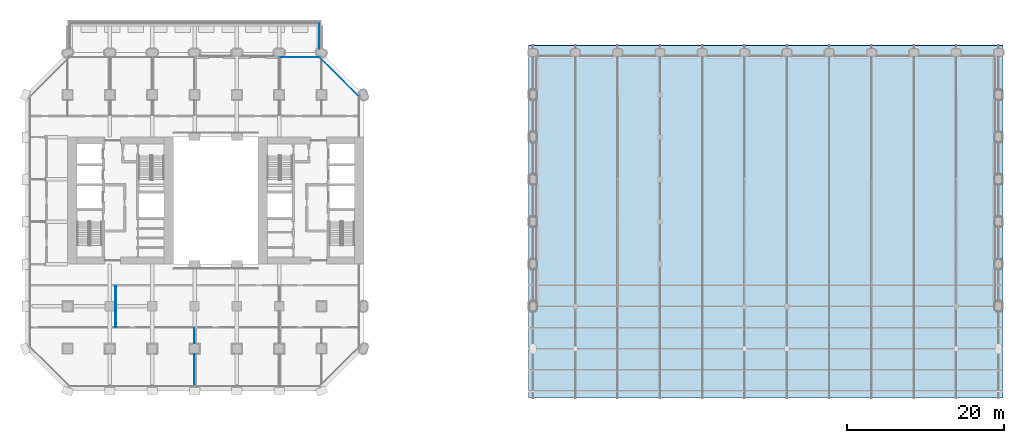
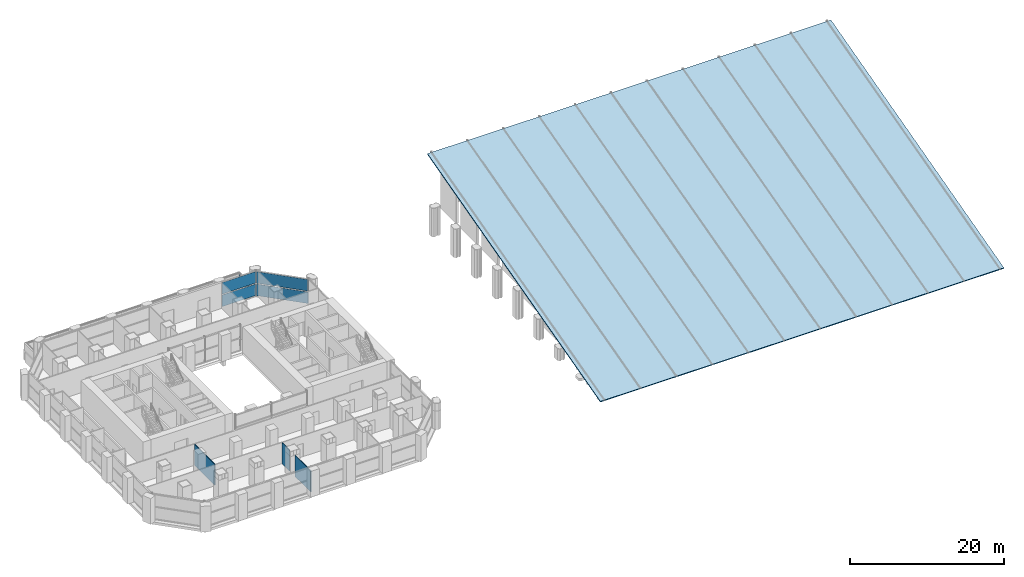
# One storey, part 12 of 23: 5 plates, 3 walls, 1 slab, 2 elements without a shape of their own.
"""IFC4 building model written with IfcOpenShell, lengths in metres."""

from ifc_helpers import new_model, si_unit, direction, frame, frame_2d, origin, origin_2d, place, context, subcontext, project, spatial, polyline, rectangle, outline, extrude, material, layer, layer_set, type_object, element, aggregate, save


model = new_model("IFC4")

# Units and contexts
model_context = context("Model", 3, precision=1e-05, world=origin(), true_north=direction((0.0, 1.0)))
body_context = subcontext(model_context, "Body", "Model", "MODEL_VIEW")
ifc_project = project(units=[si_unit("LENGTHUNIT", "METRE"), si_unit("AREAUNIT", "SQUARE_METRE"), si_unit("VOLUMEUNIT", "CUBIC_METRE"), si_unit("PLANEANGLEUNIT", "RADIAN"), si_unit("MASSUNIT", "GRAM", prefix="KILO")], contexts=[model_context])

# Site, building, storey
site_placement = place(None, origin())
site = spatial("IfcSite", under=ifc_project, at=site_placement, CompositionType="ELEMENT")
building_placement = place(site_placement, origin())
building = spatial("IfcBuilding", under=site, at=building_placement, Name="Tabaq Tower and Sports Hall", CompositionType="ELEMENT")
storey_placement = place(building_placement, frame((0.0, 0.0, 24.60009765625)))
storey = spatial("IfcBuildingStorey", under=building, at=storey_placement, Name="L04", CompositionType="ELEMENT", Elevation=24.60009765625)

# Curtain wall, plates
ifc_material_1 = material(Name="Aluminium alloy 6063-T6 framed glazing", Category="aluminium")
curtain_wall_type = type_object("IfcCurtainWallType", Name="CW7 curtain wall", PredefinedType="USERDEFINED", material=ifc_material_1)
curtain_wall_1_placement = place(storey_placement, origin())
curtain_wall_1 = element("IfcCurtainWall", 1, at=curtain_wall_1_placement, inside=storey, type_object=curtain_wall_type, Name="Podium Wall L04 NE", ObjectType="PODIUM WALL", PredefinedType="USERDEFINED")
ifc_material_2 = material(Name="Clear low-emissivity glass 28 mm", Category="glass")
ifc_layer_1 = layer(ifc_material_2, 0.030029296875)
ifc_layer_set_1 = layer_set([ifc_layer_1], Name="CW7 glass panel 30")
plate_type_1 = type_object("IfcPlateType", Name="CW7 glass panel 30", PredefinedType="CURTAIN_PANEL", material=ifc_layer_set_1)
plate_1_placement = place(storey_placement, frame((40.07568359375, 40.07568359375, 0.1396484375), z_axis=(0.0, 0.0, 1.0), x_axis=(-0.707106781187, 0.707106781187, 0.0)))
plate_1 = element("IfcPlate", 2, at=plate_1_placement, type_object=plate_type_1, Name="CW7 panel 1.1", PredefinedType="CURTAIN_PANEL", context=body_context, shape_type="SweptSolid", body=[
    extrude(rectangle(XDim=7.009765625, YDim=0.030029296875, at=origin_2d()), origin(), (0.0, 0.0, 1.0), 1.840087890625),
])
plate_2_placement = place(storey_placement, frame((40.07568359375, 40.07568359375, 2.11962890625), z_axis=(0.0, 0.0, 1.0), x_axis=(-0.707106781187, 0.707106781187, 0.0)))
plate_2 = element("IfcPlate", 3, at=plate_2_placement, type_object=plate_type_1, Name="CW7 panel 1.2", PredefinedType="CURTAIN_PANEL", context=body_context, shape_type="SweptSolid", body=[
    extrude(rectangle(XDim=7.009765625, YDim=0.030029296875, at=origin_2d()), origin(), (0.0, 0.0, 1.0), 1.840087890625),
])
aggregate(curtain_wall_1, [plate_1, plate_2])

curtain_wall_2_placement = place(storey_placement, origin())
curtain_wall_2 = element("IfcCurtainWall", 4, at=curtain_wall_2_placement, inside=storey, type_object=curtain_wall_type, Name="Podium Wall L04 N", ObjectType="PODIUM WALL", PredefinedType="USERDEFINED")
plate_3_placement = place(storey_placement, frame((35.0068359375, 42.60009765625, 0.1396484375), z_axis=(0.0, 0.0, 1.0), x_axis=(-1.0, 0.0, 0.0)))
plate_3 = element("IfcPlate", 5, at=plate_3_placement, type_object=plate_type_1, Name="CW7 panel 1.1", PredefinedType="CURTAIN_PANEL", context=body_context, shape_type="SweptSolid", body=[
    extrude(rectangle(XDim=5.08349609375, YDim=0.030029296875, at=origin_2d()), origin(), (0.0, 0.0, 1.0), 1.840087890625),
])
plate_4_placement = place(storey_placement, frame((35.0068359375, 42.60009765625, 2.11962890625), z_axis=(0.0, 0.0, 1.0), x_axis=(-1.0, 0.0, 0.0)))
plate_4 = element("IfcPlate", 6, at=plate_4_placement, type_object=plate_type_1, Name="CW7 panel 1.2", PredefinedType="CURTAIN_PANEL", context=body_context, shape_type="SweptSolid", body=[
    extrude(rectangle(XDim=5.08349609375, YDim=0.030029296875, at=origin_2d()), origin(), (0.0, 0.0, 1.0), 1.840087890625),
])
aggregate(curtain_wall_2, [plate_3, plate_4])

# Slab
ifc_material_3 = material(Name="Steel S355 profiled deck with insulation and membrane", Category="steel")
ifc_layer_2 = layer(ifc_material_3, 0.14990234375)
ifc_layer_set_2 = layer_set([ifc_layer_2], Name="HALL ROOF DECK 150")
slab_type = type_object("IfcSlabType", Name="HALL ROOF DECK 150", PredefinedType="ROOF", material=ifc_layer_set_2)
slab_placement = place(storey_placement, frame((64.199951171875, -0.89990234375, 0.358642578125), z_axis=(0.0, -0.25882200248, 0.965925033857), x_axis=(1.0, 0.0, 0.0)))
element("IfcSlab", 7, at=slab_placement, inside=storey, type_object=slab_type, Name="Hall roof deck", PredefinedType="ROOF", context=body_context, shape_type="SweptSolid", body=[
    extrude(outline(polyline([(0.0, 0.0), (60.60009765625, 0.0), (60.60009765625, 46.58746633815035), (0.0, 46.58746633815035), (0.0, 0.0)])), origin(), (0.0, 0.0, -1.0), 0.14990234375),
])

# Plate
ifc_material_4 = material(Name="Clear low-emissivity glass 28 mm", Category="glass")
ifc_layer_3 = layer(ifc_material_4, 0.02001953125)
ifc_layer_set_3 = layer_set([ifc_layer_3], Name="Laminated glass tray guard panel 20")
plate_type_2 = type_object("IfcPlateType", Name="Laminated glass tray guard panel 20", PredefinedType="USERDEFINED", material=ifc_layer_set_3)
plate_5_placement = place(storey_placement, frame((37.5, 43.699951171875, 0.0), z_axis=(0.0, 0.0, 1.0), x_axis=(0.0, 1.0, 0.0)))
element("IfcPlate", 8, at=plate_5_placement, inside=storey, type_object=plate_type_2, Name="Tray guard glass L04", ObjectType="GUARD GLASS", PredefinedType="USERDEFINED", context=body_context, shape_type="SweptSolid", body=[
    extrude(rectangle(XDim=3.199951171875, YDim=0.02001953125, at=frame_2d((1.60009765625, 0.0))), origin(), (0.0, 0.0, 1.0), 0.949951171875),
])

# Walls
ifc_material_5 = material(Name="Gypsum board on steel studs", Category="steel")
ifc_layer_4 = layer(ifc_material_5, 0.10009765625)
ifc_layer_set_4 = layer_set([ifc_layer_4], Name="Partition 100 Gypsum board")
wall_type = type_object("IfcWallType", Name="Partition 100 Gypsum board", PredefinedType="PARTITIONING", material=ifc_layer_set_4)
wall_1_placement = place(storey_placement, frame((11.550048828125, 8.14990234375, 0.0), z_axis=(0.0, 0.0, 1.0), x_axis=(0.0, 1.0, 0.0)))
element("IfcWall", 9, at=wall_1_placement, inside=storey, type_object=wall_type, Name="Partition wall L04", PredefinedType="PARTITIONING", context=body_context, shape_type="SweptSolid", body=[
    extrude(rectangle(XDim=5.275146484375, YDim=0.10009765625, at=frame_2d((2.6376953125, 0.0))), origin(), (0.0, 0.0, 1.0), 3.349853515625),
])
wall_2_placement = place(storey_placement, frame((21.60009765625, 0.60009765625, 0.0), z_axis=(0.0, 0.0, 1.0), x_axis=(0.0, 1.0, 0.0)))
element("IfcWall", 10, at=wall_2_placement, inside=storey, type_object=wall_type, Name="Partition wall L04", PredefinedType="PARTITIONING", context=body_context, shape_type="SweptSolid", body=[
    extrude(rectangle(XDim=4.09912109375, YDim=0.10009765625, at=frame_2d((2.049560546875, 0.0))), origin(), (0.0, 0.0, 1.0), 3.349853515625),
])
wall_3_placement = place(storey_placement, frame((21.60009765625, 6.1005859375, 0.0), z_axis=(0.0, 0.0, 1.0), x_axis=(0.0, 1.0, 0.0)))
element("IfcWall", 11, at=wall_3_placement, inside=storey, type_object=wall_type, Name="Partition wall L04", PredefinedType="PARTITIONING", context=body_context, shape_type="SweptSolid", body=[
    extrude(rectangle(XDim=1.949462890625, YDim=0.10009765625, at=frame_2d((0.974609375, 0.0))), origin(), (0.0, 0.0, 1.0), 3.349853515625),
])

save(model, "model.ifc")
